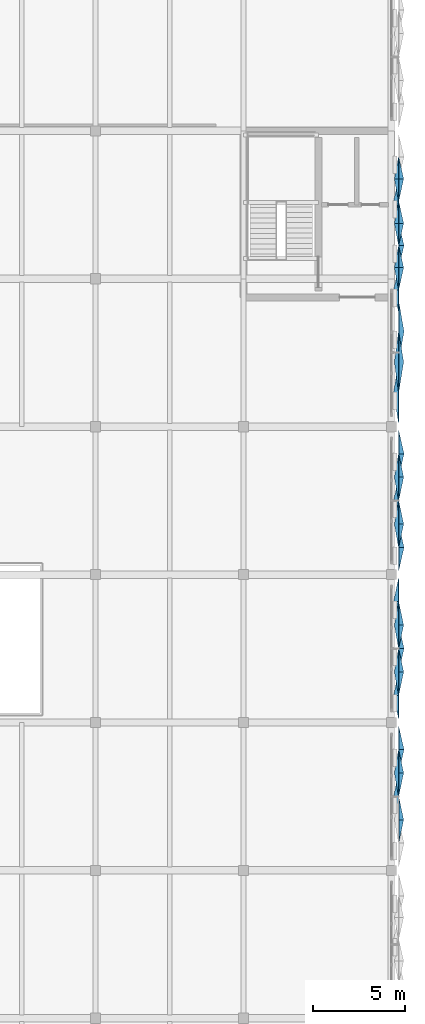
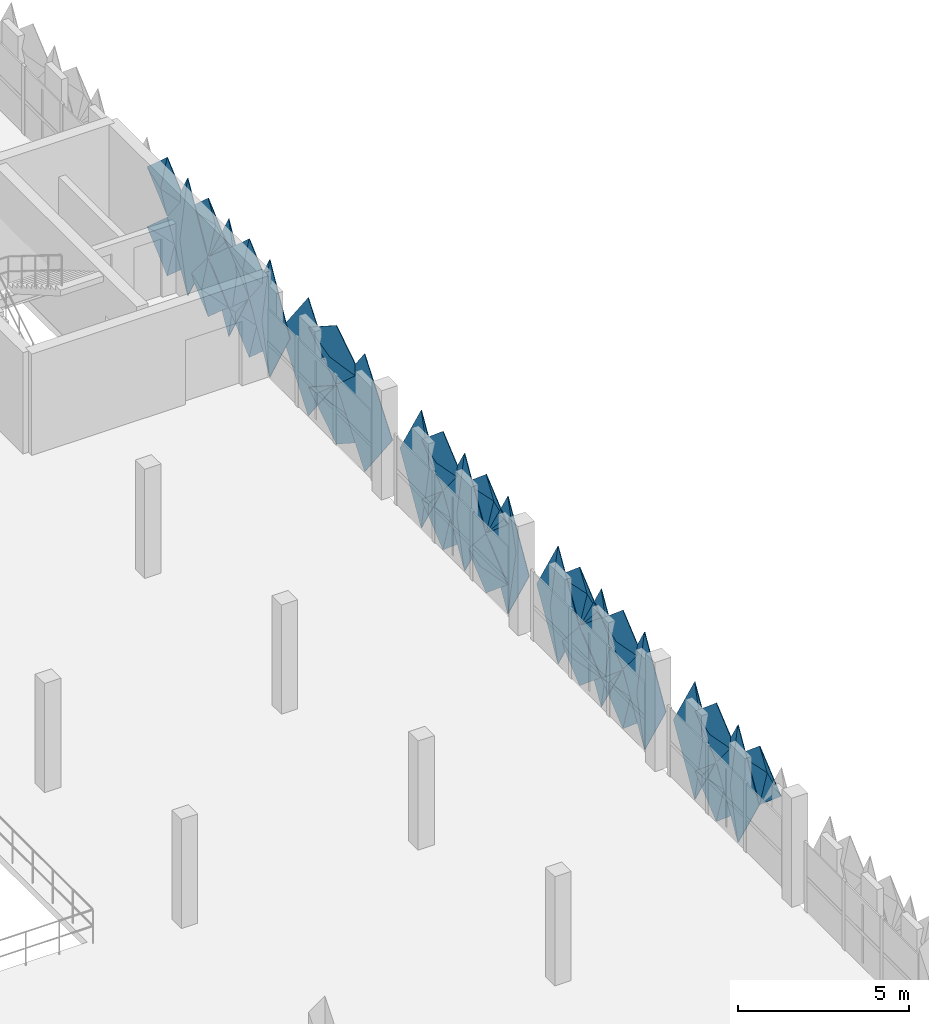
# One storey, part 72 of 96: 32 plates.
"""IFC4 building model written with IfcOpenShell, lengths in metres."""

from ifc_helpers import new_model, si_unit, derived_unit, direction, frame, origin, place, context, subcontext, project, spatial, polygons, material, layer, layer_set, type_object, element, save


model = new_model("IFC4")

# Units and contexts
model_context = context("Model", 3, precision=1e-05, world=origin(), true_north=direction((0.0, 1.0)))
body_context = subcontext(model_context, "Body", "Model", "MODEL_VIEW")
ifc_project = project(units=[si_unit("LENGTHUNIT", "METRE"), si_unit("AREAUNIT", "SQUARE_METRE"), si_unit("VOLUMEUNIT", "CUBIC_METRE"), si_unit("PLANEANGLEUNIT", "RADIAN"), si_unit("MASSUNIT", "GRAM", prefix="KILO"), si_unit("THERMODYNAMICTEMPERATUREUNIT", "KELVIN"), derived_unit("THERMALTRANSMITTANCEUNIT", [(si_unit("POWERUNIT", "WATT"), 1), (si_unit("AREAUNIT", "SQUARE_METRE"), -1), (si_unit("THERMODYNAMICTEMPERATUREUNIT", "KELVIN"), -1)])], contexts=[model_context])

# Site, building, storey
site_placement = place(None, origin())
site = spatial("IfcSite", under=ifc_project, at=site_placement, CompositionType="ELEMENT")
building_placement = place(site_placement, origin())
building = spatial("IfcBuilding", under=site, at=building_placement, Name="Haiyu Intermodal Mobility Hub", CompositionType="ELEMENT")
storey_placement = place(building_placement, frame((0.0, 0.0, 9.5)))
storey = spatial("IfcBuildingStorey", under=building, at=storey_placement, Name="L02", CompositionType="ELEMENT", Elevation=9.5)

# Plates
ifc_material = material(Name="Anodised aluminium 6063-T6", Category="aluminium")
ifc_layer_1 = layer(ifc_material, 0.01806640625)
ifc_layer_set_1 = layer_set([ifc_layer_1], Name="Anodised aluminium 6063-T6")
plate_type_1 = type_object("IfcPlateType", Name="PLT-FC01", PredefinedType="USERDEFINED", material=ifc_layer_set_1)
plate_1_placement = place(storey_placement, origin())
element("IfcPlate", 1, at=plate_1_placement, inside=storey, type_object=plate_type_1, Name="PLT-PYR-1669", ObjectType="FACADE CASSETTE", PredefinedType="USERDEFINED", context=body_context, shape_type="Tessellation", body=[
    polygons([(210.39990234375, 38.532958984375, -0.510009765625), (210.39990234375, 39.780029296875, 1.60009765625), (210.39990234375, 38.532958984375, 3.7099609375), (210.39990234375, 37.287109375, 1.60009765625), (210.679931640625, 38.532958984375, 1.60009765625), (210.3779296875, 38.532958984375, -0.510009765625), (210.3779296875, 39.780029296875, 1.60009765625), (210.3779296875, 38.532958984375, 3.7099609375), (210.3779296875, 37.287109375, 1.60009765625), (210.657958984375, 38.532958984375, 1.60009765625)], [[[1, 2, 5]], [[2, 3, 5]], [[3, 4, 5]], [[4, 1, 5]], [[7, 6, 10]], [[8, 7, 10]], [[9, 8, 10]], [[6, 9, 10]], [[1, 6, 7, 2]], [[2, 7, 8, 3]], [[3, 8, 9, 4]], [[4, 9, 6, 1]]], closed=True),
])
plate_2_placement = place(storey_placement, origin())
element("IfcPlate", 2, at=plate_2_placement, inside=storey, type_object=plate_type_1, Name="PLT-PYR-1683", ObjectType="FACADE CASSETTE", PredefinedType="USERDEFINED", context=body_context, shape_type="Tessellation", body=[
    polygons([(210.39990234375, 54.532958984375, -0.510009765625), (210.39990234375, 55.780029296875, 1.60009765625), (210.39990234375, 54.532958984375, 3.7099609375), (210.39990234375, 53.287109375, 1.60009765625), (210.679931640625, 54.532958984375, 1.60009765625), (210.3779296875, 54.532958984375, -0.510009765625), (210.3779296875, 55.780029296875, 1.60009765625), (210.3779296875, 54.532958984375, 3.7099609375), (210.3779296875, 53.287109375, 1.60009765625), (210.657958984375, 54.532958984375, 1.60009765625)], [[[1, 2, 5]], [[2, 3, 5]], [[3, 4, 5]], [[4, 1, 5]], [[7, 6, 10]], [[8, 7, 10]], [[9, 8, 10]], [[6, 9, 10]], [[1, 6, 7, 2]], [[2, 7, 8, 3]], [[3, 8, 9, 4]], [[4, 9, 6, 1]]], closed=True),
])
ifc_layer_2 = layer(ifc_material, 0.02001953125)
ifc_layer_set_2 = layer_set([ifc_layer_2], Name="Anodised aluminium 6063-T6")
plate_type_2 = type_object("IfcPlateType", Name="PLT-FC02", PredefinedType="USERDEFINED", material=ifc_layer_set_2)
plate_3_placement = place(storey_placement, origin())
element("IfcPlate", 3, at=plate_3_placement, inside=storey, type_object=plate_type_2, Name="PLT-PYR-1374", ObjectType="FACADE CASSETTE", PredefinedType="USERDEFINED", context=body_context, shape_type="Tessellation", body=[
    polygons([(210.39990234375, 68.199951171875, -0.510009765625), (210.39990234375, 69.3798828125, 1.60009765625), (210.39990234375, 68.199951171875, 3.7099609375), (210.39990234375, 67.02001953125, 1.60009765625), (210.139892578125, 68.199951171875, 1.60009765625), (210.3779296875, 68.199951171875, -0.510009765625), (210.3779296875, 69.3798828125, 1.60009765625), (210.3779296875, 68.199951171875, 3.7099609375), (210.3779296875, 67.02001953125, 1.60009765625), (210.117919921875, 68.199951171875, 1.60009765625)], [[[1, 2, 5]], [[2, 3, 5]], [[3, 4, 5]], [[4, 1, 5]], [[7, 6, 10]], [[8, 7, 10]], [[9, 8, 10]], [[6, 9, 10]], [[1, 6, 7, 2]], [[2, 7, 8, 3]], [[3, 8, 9, 4]], [[4, 9, 6, 1]]], closed=True),
])
plate_4_placement = place(storey_placement, origin())
element("IfcPlate", 4, at=plate_4_placement, inside=storey, type_object=plate_type_2, Name="PLT-PYR-1676", ObjectType="FACADE CASSETTE", PredefinedType="USERDEFINED", context=body_context, shape_type="Tessellation", body=[
    polygons([(210.39990234375, 46.532958984375, -0.510009765625), (210.39990234375, 47.780029296875, 1.60009765625), (210.39990234375, 46.532958984375, 3.7099609375), (210.39990234375, 45.287109375, 1.60009765625), (210.139892578125, 46.532958984375, 1.60009765625), (210.3779296875, 46.532958984375, -0.510009765625), (210.3779296875, 47.780029296875, 1.60009765625), (210.3779296875, 46.532958984375, 3.7099609375), (210.3779296875, 45.287109375, 1.60009765625), (210.117919921875, 46.532958984375, 1.60009765625)], [[[1, 2, 5]], [[2, 3, 5]], [[3, 4, 5]], [[4, 1, 5]], [[7, 6, 10]], [[8, 7, 10]], [[9, 8, 10]], [[6, 9, 10]], [[1, 6, 7, 2]], [[2, 7, 8, 3]], [[3, 8, 9, 4]], [[4, 9, 6, 1]]], closed=True),
])
ifc_layer_3 = layer(ifc_material, 0.01806640625)
ifc_layer_set_3 = layer_set([ifc_layer_3], Name="Anodised aluminium 6063-T6")
plate_type_3 = type_object("IfcPlateType", Name="PLT-FC05", PredefinedType="USERDEFINED", material=ifc_layer_set_3)
plate_5_placement = place(storey_placement, origin())
element("IfcPlate", 5, at=plate_5_placement, inside=storey, type_object=plate_type_3, Name="PLT-PYR-1369", ObjectType="FACADE CASSETTE", PredefinedType="USERDEFINED", context=body_context, shape_type="Tessellation", body=[
    polygons([(210.39990234375, 64.60009765625, -0.52001953125), (210.39990234375, 65.780029296875, 0.530029296875), (210.39990234375, 64.60009765625, 1.580078125), (210.39990234375, 63.419921875, 0.530029296875), (210.659912109375, 64.60009765625, 0.530029296875), (210.3779296875, 64.60009765625, -0.52001953125), (210.3779296875, 65.780029296875, 0.530029296875), (210.3779296875, 64.60009765625, 1.580078125), (210.3779296875, 63.419921875, 0.530029296875), (210.637939453125, 64.60009765625, 0.530029296875)], [[[1, 2, 5]], [[2, 3, 5]], [[3, 4, 5]], [[4, 1, 5]], [[7, 6, 10]], [[8, 7, 10]], [[9, 8, 10]], [[6, 9, 10]], [[1, 6, 7, 2]], [[2, 7, 8, 3]], [[3, 8, 9, 4]], [[4, 9, 6, 1]]], closed=True),
])
plate_6_placement = place(storey_placement, origin())
element("IfcPlate", 6, at=plate_6_placement, inside=storey, type_object=plate_type_3, Name="PLT-PYR-1375", ObjectType="FACADE CASSETTE", PredefinedType="USERDEFINED", context=body_context, shape_type="Tessellation", body=[
    polygons([(210.39990234375, 69.39990234375, -0.52001953125), (210.39990234375, 70.580078125, 0.530029296875), (210.39990234375, 69.39990234375, 1.580078125), (210.39990234375, 68.219970703125, 0.530029296875), (210.659912109375, 69.39990234375, 0.530029296875), (210.3779296875, 69.39990234375, -0.52001953125), (210.3779296875, 70.580078125, 0.530029296875), (210.3779296875, 69.39990234375, 1.580078125), (210.3779296875, 68.219970703125, 0.530029296875), (210.637939453125, 69.39990234375, 0.530029296875)], [[[1, 2, 5]], [[2, 3, 5]], [[3, 4, 5]], [[4, 1, 5]], [[7, 6, 10]], [[8, 7, 10]], [[9, 8, 10]], [[6, 9, 10]], [[1, 6, 7, 2]], [[2, 7, 8, 3]], [[3, 8, 9, 4]], [[4, 9, 6, 1]]], closed=True),
])
plate_7_placement = place(storey_placement, origin())
element("IfcPlate", 7, at=plate_7_placement, inside=storey, type_object=plate_type_3, Name="PLT-PYR-1667", ObjectType="FACADE CASSETTE", PredefinedType="USERDEFINED", context=body_context, shape_type="Tessellation", body=[
    polygons([(210.39990234375, 37.26708984375, -0.52001953125), (210.39990234375, 38.512939453125, 0.530029296875), (210.39990234375, 37.26708984375, 1.580078125), (210.39990234375, 36.02001953125, 0.530029296875), (210.659912109375, 37.26708984375, 0.530029296875), (210.3779296875, 37.26708984375, -0.52001953125), (210.3779296875, 38.512939453125, 0.530029296875), (210.3779296875, 37.26708984375, 1.580078125), (210.3779296875, 36.02001953125, 0.530029296875), (210.637939453125, 37.26708984375, 0.530029296875)], [[[1, 2, 5]], [[2, 3, 5]], [[3, 4, 5]], [[4, 1, 5]], [[7, 6, 10]], [[8, 7, 10]], [[9, 8, 10]], [[6, 9, 10]], [[1, 6, 7, 2]], [[2, 7, 8, 3]], [[3, 8, 9, 4]], [[4, 9, 6, 1]]], closed=True),
])
plate_8_placement = place(storey_placement, origin())
element("IfcPlate", 8, at=plate_8_placement, inside=storey, type_object=plate_type_3, Name="PLT-PYR-1671", ObjectType="FACADE CASSETTE", PredefinedType="USERDEFINED", context=body_context, shape_type="Tessellation", body=[
    polygons([(210.39990234375, 42.73291015625, -0.52001953125), (210.39990234375, 43.97998046875, 0.530029296875), (210.39990234375, 42.73291015625, 1.580078125), (210.39990234375, 41.487060546875, 0.530029296875), (210.659912109375, 42.73291015625, 0.530029296875), (210.3779296875, 42.73291015625, -0.52001953125), (210.3779296875, 43.97998046875, 0.530029296875), (210.3779296875, 42.73291015625, 1.580078125), (210.3779296875, 41.487060546875, 0.530029296875), (210.637939453125, 42.73291015625, 0.530029296875)], [[[1, 2, 5]], [[2, 3, 5]], [[3, 4, 5]], [[4, 1, 5]], [[7, 6, 10]], [[8, 7, 10]], [[9, 8, 10]], [[6, 9, 10]], [[1, 6, 7, 2]], [[2, 7, 8, 3]], [[3, 8, 9, 4]], [[4, 9, 6, 1]]], closed=True),
])
plate_9_placement = place(storey_placement, origin())
element("IfcPlate", 9, at=plate_9_placement, inside=storey, type_object=plate_type_3, Name="PLT-PYR-1677", ObjectType="FACADE CASSETTE", PredefinedType="USERDEFINED", context=body_context, shape_type="Tessellation", body=[
    polygons([(210.39990234375, 49.467041015625, -0.510009765625), (210.39990234375, 50.712890625, 1.60009765625), (210.39990234375, 49.467041015625, 3.7099609375), (210.39990234375, 48.219970703125, 1.60009765625), (210.679931640625, 49.467041015625, 1.60009765625), (210.3779296875, 49.467041015625, -0.510009765625), (210.3779296875, 50.712890625, 1.60009765625), (210.3779296875, 49.467041015625, 3.7099609375), (210.3779296875, 48.219970703125, 1.60009765625), (210.657958984375, 49.467041015625, 1.60009765625)], [[[1, 2, 5]], [[2, 3, 5]], [[3, 4, 5]], [[4, 1, 5]], [[7, 6, 10]], [[8, 7, 10]], [[9, 8, 10]], [[6, 9, 10]], [[1, 6, 7, 2]], [[2, 7, 8, 3]], [[3, 8, 9, 4]], [[4, 9, 6, 1]]], closed=True),
])
plate_10_placement = place(storey_placement, origin())
element("IfcPlate", 10, at=plate_10_placement, inside=storey, type_object=plate_type_3, Name="PLT-PYR-1681", ObjectType="FACADE CASSETTE", PredefinedType="USERDEFINED", context=body_context, shape_type="Tessellation", body=[
    polygons([(210.39990234375, 53.26708984375, -0.52001953125), (210.39990234375, 54.512939453125, 0.530029296875), (210.39990234375, 53.26708984375, 1.580078125), (210.39990234375, 52.02001953125, 0.530029296875), (210.659912109375, 53.26708984375, 0.530029296875), (210.3779296875, 53.26708984375, -0.52001953125), (210.3779296875, 54.512939453125, 0.530029296875), (210.3779296875, 53.26708984375, 1.580078125), (210.3779296875, 52.02001953125, 0.530029296875), (210.637939453125, 53.26708984375, 0.530029296875)], [[[1, 2, 5]], [[2, 3, 5]], [[3, 4, 5]], [[4, 1, 5]], [[7, 6, 10]], [[8, 7, 10]], [[9, 8, 10]], [[6, 9, 10]], [[1, 6, 7, 2]], [[2, 7, 8, 3]], [[3, 8, 9, 4]], [[4, 9, 6, 1]]], closed=True),
])
plate_11_placement = place(storey_placement, origin())
element("IfcPlate", 11, at=plate_11_placement, inside=storey, type_object=plate_type_3, Name="PLT-PYR-1685", ObjectType="FACADE CASSETTE", PredefinedType="USERDEFINED", context=body_context, shape_type="Tessellation", body=[
    polygons([(210.39990234375, 59.5, -0.52001953125), (210.39990234375, 61.1298828125, 0.530029296875), (210.39990234375, 59.5, 1.580078125), (210.39990234375, 57.8701171875, 0.530029296875), (210.659912109375, 59.5, 0.530029296875), (210.3779296875, 59.5, -0.52001953125), (210.3779296875, 61.1298828125, 0.530029296875), (210.3779296875, 59.5, 1.580078125), (210.3779296875, 57.8701171875, 0.530029296875), (210.637939453125, 59.5, 0.530029296875)], [[[1, 2, 5]], [[2, 3, 5]], [[3, 4, 5]], [[4, 1, 5]], [[7, 6, 10]], [[8, 7, 10]], [[9, 8, 10]], [[6, 9, 10]], [[1, 6, 7, 2]], [[2, 7, 8, 3]], [[3, 8, 9, 4]], [[4, 9, 6, 1]]], closed=True),
])
ifc_layer_4 = layer(ifc_material, 0.02001953125)
ifc_layer_set_4 = layer_set([ifc_layer_4], Name="Anodised aluminium 6063-T6")
plate_type_4 = type_object("IfcPlateType", Name="PLT-FC06", PredefinedType="USERDEFINED", material=ifc_layer_set_4)
plate_12_placement = place(storey_placement, origin())
element("IfcPlate", 12, at=plate_12_placement, inside=storey, type_object=plate_type_4, Name="PLT-PYR-1368", ObjectType="FACADE CASSETTE", PredefinedType="USERDEFINED", context=body_context, shape_type="Tessellation", body=[
    polygons([(210.39990234375, 63.39990234375, -0.510009765625), (210.39990234375, 64.580078125, 1.60009765625), (210.39990234375, 63.39990234375, 3.7099609375), (210.39990234375, 62.219970703125, 1.60009765625), (210.139892578125, 63.39990234375, 1.60009765625), (210.3779296875, 63.39990234375, -0.510009765625), (210.3779296875, 64.580078125, 1.60009765625), (210.3779296875, 63.39990234375, 3.7099609375), (210.3779296875, 62.219970703125, 1.60009765625), (210.117919921875, 63.39990234375, 1.60009765625)], [[[1, 2, 5]], [[2, 3, 5]], [[3, 4, 5]], [[4, 1, 5]], [[7, 6, 10]], [[8, 7, 10]], [[9, 8, 10]], [[6, 9, 10]], [[1, 6, 7, 2]], [[2, 7, 8, 3]], [[3, 8, 9, 4]], [[4, 9, 6, 1]]], closed=True),
])
plate_13_placement = place(storey_placement, origin())
element("IfcPlate", 13, at=plate_13_placement, inside=storey, type_object=plate_type_4, Name="PLT-PYR-1372", ObjectType="FACADE CASSETTE", PredefinedType="USERDEFINED", context=body_context, shape_type="Tessellation", body=[
    polygons([(210.39990234375, 67.0, -0.52001953125), (210.39990234375, 68.179931640625, 0.530029296875), (210.39990234375, 67.0, 1.580078125), (210.39990234375, 65.820068359375, 0.530029296875), (210.179931640625, 67.0, 0.530029296875), (210.3779296875, 67.0, -0.52001953125), (210.3779296875, 68.179931640625, 0.530029296875), (210.3779296875, 67.0, 1.580078125), (210.3779296875, 65.820068359375, 0.530029296875), (210.157958984375, 67.0, 0.530029296875)], [[[1, 2, 5]], [[2, 3, 5]], [[3, 4, 5]], [[4, 1, 5]], [[7, 6, 10]], [[8, 7, 10]], [[9, 8, 10]], [[6, 9, 10]], [[1, 6, 7, 2]], [[2, 7, 8, 3]], [[3, 8, 9, 4]], [[4, 9, 6, 1]]], closed=True),
])
plate_14_placement = place(storey_placement, origin())
element("IfcPlate", 14, at=plate_14_placement, inside=storey, type_object=plate_type_4, Name="PLT-PYR-1670", ObjectType="FACADE CASSETTE", PredefinedType="USERDEFINED", context=body_context, shape_type="Tessellation", body=[
    polygons([(210.39990234375, 41.467041015625, -0.510009765625), (210.39990234375, 42.712890625, 1.60009765625), (210.39990234375, 41.467041015625, 3.7099609375), (210.39990234375, 40.219970703125, 1.60009765625), (210.139892578125, 41.467041015625, 1.60009765625), (210.3779296875, 41.467041015625, -0.510009765625), (210.3779296875, 42.712890625, 1.60009765625), (210.3779296875, 41.467041015625, 3.7099609375), (210.3779296875, 40.219970703125, 1.60009765625), (210.117919921875, 41.467041015625, 1.60009765625)], [[[1, 2, 5]], [[2, 3, 5]], [[3, 4, 5]], [[4, 1, 5]], [[7, 6, 10]], [[8, 7, 10]], [[9, 8, 10]], [[6, 9, 10]], [[1, 6, 7, 2]], [[2, 7, 8, 3]], [[3, 8, 9, 4]], [[4, 9, 6, 1]]], closed=True),
])
plate_15_placement = place(storey_placement, origin())
element("IfcPlate", 15, at=plate_15_placement, inside=storey, type_object=plate_type_4, Name="PLT-PYR-1674", ObjectType="FACADE CASSETTE", PredefinedType="USERDEFINED", context=body_context, shape_type="Tessellation", body=[
    polygons([(210.39990234375, 45.26708984375, -0.52001953125), (210.39990234375, 46.512939453125, 0.530029296875), (210.39990234375, 45.26708984375, 1.580078125), (210.39990234375, 44.02001953125, 0.530029296875), (210.179931640625, 45.26708984375, 0.530029296875), (210.3779296875, 45.26708984375, -0.52001953125), (210.3779296875, 46.512939453125, 0.530029296875), (210.3779296875, 45.26708984375, 1.580078125), (210.3779296875, 44.02001953125, 0.530029296875), (210.157958984375, 45.26708984375, 0.530029296875)], [[[1, 2, 5]], [[2, 3, 5]], [[3, 4, 5]], [[4, 1, 5]], [[7, 6, 10]], [[8, 7, 10]], [[9, 8, 10]], [[6, 9, 10]], [[1, 6, 7, 2]], [[2, 7, 8, 3]], [[3, 8, 9, 4]], [[4, 9, 6, 1]]], closed=True),
])
plate_16_placement = place(storey_placement, origin())
element("IfcPlate", 16, at=plate_16_placement, inside=storey, type_object=plate_type_4, Name="PLT-PYR-1678", ObjectType="FACADE CASSETTE", PredefinedType="USERDEFINED", context=body_context, shape_type="Tessellation", body=[
    polygons([(210.39990234375, 50.73291015625, -0.52001953125), (210.39990234375, 51.97998046875, 0.530029296875), (210.39990234375, 50.73291015625, 1.580078125), (210.39990234375, 49.487060546875, 0.530029296875), (210.179931640625, 50.73291015625, 0.530029296875), (210.3779296875, 50.73291015625, -0.52001953125), (210.3779296875, 51.97998046875, 0.530029296875), (210.3779296875, 50.73291015625, 1.580078125), (210.3779296875, 49.487060546875, 0.530029296875), (210.157958984375, 50.73291015625, 0.530029296875)], [[[1, 2, 5]], [[2, 3, 5]], [[3, 4, 5]], [[4, 1, 5]], [[7, 6, 10]], [[8, 7, 10]], [[9, 8, 10]], [[6, 9, 10]], [[1, 6, 7, 2]], [[2, 7, 8, 3]], [[3, 8, 9, 4]], [[4, 9, 6, 1]]], closed=True),
])
plate_17_placement = place(storey_placement, origin())
element("IfcPlate", 17, at=plate_17_placement, inside=storey, type_object=plate_type_4, Name="PLT-PYR-1684", ObjectType="FACADE CASSETTE", PredefinedType="USERDEFINED", context=body_context, shape_type="Tessellation", body=[
    polygons([(210.39990234375, 57.85009765625, -0.510009765625), (210.39990234375, 59.47998046875, 1.60009765625), (210.39990234375, 57.85009765625, 3.7099609375), (210.39990234375, 56.219970703125, 1.60009765625), (210.139892578125, 57.85009765625, 1.60009765625), (210.3779296875, 57.85009765625, -0.510009765625), (210.3779296875, 59.47998046875, 1.60009765625), (210.3779296875, 57.85009765625, 3.7099609375), (210.3779296875, 56.219970703125, 1.60009765625), (210.117919921875, 57.85009765625, 1.60009765625)], [[[1, 2, 5]], [[2, 3, 5]], [[3, 4, 5]], [[4, 1, 5]], [[7, 6, 10]], [[8, 7, 10]], [[9, 8, 10]], [[6, 9, 10]], [[1, 6, 7, 2]], [[2, 7, 8, 3]], [[3, 8, 9, 4]], [[4, 9, 6, 1]]], closed=True),
])
ifc_layer_5 = layer(ifc_material, 0.02197265625)
ifc_layer_set_5 = layer_set([ifc_layer_5], Name="Anodised aluminium 6063-T6")
plate_type_5 = type_object("IfcPlateType", Name="PLT-FC07", PredefinedType="USERDEFINED", material=ifc_layer_set_5)
plate_18_placement = place(storey_placement, origin())
element("IfcPlate", 18, at=plate_18_placement, inside=storey, type_object=plate_type_5, Name="PLT-PYR-1371", ObjectType="FACADE CASSETTE", PredefinedType="USERDEFINED", context=body_context, shape_type="Tessellation", body=[
    polygons([(210.39990234375, 65.800048828125, -0.510009765625), (210.39990234375, 66.97998046875, 1.60009765625), (210.39990234375, 65.800048828125, 3.7099609375), (210.39990234375, 64.6201171875, 1.60009765625), (210.679931640625, 65.800048828125, 1.60009765625), (210.3779296875, 65.800048828125, -0.510009765625), (210.3779296875, 66.97998046875, 1.60009765625), (210.3779296875, 65.800048828125, 3.7099609375), (210.3779296875, 64.6201171875, 1.60009765625), (210.657958984375, 65.800048828125, 1.60009765625)], [[[1, 2, 5]], [[2, 3, 5]], [[3, 4, 5]], [[4, 1, 5]], [[7, 6, 10]], [[8, 7, 10]], [[9, 8, 10]], [[6, 9, 10]], [[1, 6, 7, 2]], [[2, 7, 8, 3]], [[3, 8, 9, 4]], [[4, 9, 6, 1]]], closed=True),
])
plate_19_placement = place(storey_placement, origin())
element("IfcPlate", 19, at=plate_19_placement, inside=storey, type_object=plate_type_5, Name="PLT-PYR-1373", ObjectType="FACADE CASSETTE", PredefinedType="USERDEFINED", context=body_context, shape_type="Tessellation", body=[
    polygons([(210.39990234375, 67.0, 1.6201171875), (210.39990234375, 68.179931640625, 2.669921875), (210.39990234375, 67.0, 3.719970703125), (210.39990234375, 65.820068359375, 2.669921875), (210.659912109375, 67.0, 2.669921875), (210.3779296875, 67.0, 1.6201171875), (210.3779296875, 68.179931640625, 2.669921875), (210.3779296875, 67.0, 3.719970703125), (210.3779296875, 65.820068359375, 2.669921875), (210.637939453125, 67.0, 2.669921875)], [[[1, 2, 5]], [[2, 3, 5]], [[3, 4, 5]], [[4, 1, 5]], [[7, 6, 10]], [[8, 7, 10]], [[9, 8, 10]], [[6, 9, 10]], [[1, 6, 7, 2]], [[2, 7, 8, 3]], [[3, 8, 9, 4]], [[4, 9, 6, 1]]], closed=True),
])
plate_20_placement = place(storey_placement, origin())
element("IfcPlate", 20, at=plate_20_placement, inside=storey, type_object=plate_type_5, Name="PLT-PYR-1665", ObjectType="FACADE CASSETTE", PredefinedType="USERDEFINED", context=body_context, shape_type="Tessellation", body=[
    polygons([(210.39990234375, 34.73291015625, 1.6201171875), (210.39990234375, 35.97998046875, 2.669921875), (210.39990234375, 34.73291015625, 3.719970703125), (210.39990234375, 33.487060546875, 2.669921875), (210.659912109375, 34.73291015625, 2.669921875), (210.3779296875, 34.73291015625, 1.6201171875), (210.3779296875, 35.97998046875, 2.669921875), (210.3779296875, 34.73291015625, 3.719970703125), (210.3779296875, 33.487060546875, 2.669921875), (210.637939453125, 34.73291015625, 2.669921875)], [[[1, 2, 5]], [[2, 3, 5]], [[3, 4, 5]], [[4, 1, 5]], [[7, 6, 10]], [[8, 7, 10]], [[9, 8, 10]], [[6, 9, 10]], [[1, 6, 7, 2]], [[2, 7, 8, 3]], [[3, 8, 9, 4]], [[4, 9, 6, 1]]], closed=True),
])
plate_21_placement = place(storey_placement, origin())
element("IfcPlate", 21, at=plate_21_placement, inside=storey, type_object=plate_type_5, Name="PLT-PYR-1673", ObjectType="FACADE CASSETTE", PredefinedType="USERDEFINED", context=body_context, shape_type="Tessellation", body=[
    polygons([(210.39990234375, 44.0, -0.510009765625), (210.39990234375, 45.2470703125, 1.60009765625), (210.39990234375, 44.0, 3.7099609375), (210.39990234375, 42.7529296875, 1.60009765625), (210.679931640625, 44.0, 1.60009765625), (210.3779296875, 44.0, -0.510009765625), (210.3779296875, 45.2470703125, 1.60009765625), (210.3779296875, 44.0, 3.7099609375), (210.3779296875, 42.7529296875, 1.60009765625), (210.657958984375, 44.0, 1.60009765625)], [[[1, 2, 5]], [[2, 3, 5]], [[3, 4, 5]], [[4, 1, 5]], [[7, 6, 10]], [[8, 7, 10]], [[9, 8, 10]], [[6, 9, 10]], [[1, 6, 7, 2]], [[2, 7, 8, 3]], [[3, 8, 9, 4]], [[4, 9, 6, 1]]], closed=True),
])
plate_22_placement = place(storey_placement, origin())
element("IfcPlate", 22, at=plate_22_placement, inside=storey, type_object=plate_type_5, Name="PLT-PYR-1675", ObjectType="FACADE CASSETTE", PredefinedType="USERDEFINED", context=body_context, shape_type="Tessellation", body=[
    polygons([(210.39990234375, 45.26708984375, 1.6201171875), (210.39990234375, 46.512939453125, 2.669921875), (210.39990234375, 45.26708984375, 3.719970703125), (210.39990234375, 44.02001953125, 2.669921875), (210.659912109375, 45.26708984375, 2.669921875), (210.3779296875, 45.26708984375, 1.6201171875), (210.3779296875, 46.512939453125, 2.669921875), (210.3779296875, 45.26708984375, 3.719970703125), (210.3779296875, 44.02001953125, 2.669921875), (210.637939453125, 45.26708984375, 2.669921875)], [[[1, 2, 5]], [[2, 3, 5]], [[3, 4, 5]], [[4, 1, 5]], [[7, 6, 10]], [[8, 7, 10]], [[9, 8, 10]], [[6, 9, 10]], [[1, 6, 7, 2]], [[2, 7, 8, 3]], [[3, 8, 9, 4]], [[4, 9, 6, 1]]], closed=True),
])
plate_23_placement = place(storey_placement, origin())
element("IfcPlate", 23, at=plate_23_placement, inside=storey, type_object=plate_type_5, Name="PLT-PYR-1679", ObjectType="FACADE CASSETTE", PredefinedType="USERDEFINED", context=body_context, shape_type="Tessellation", body=[
    polygons([(210.39990234375, 50.73291015625, 1.6201171875), (210.39990234375, 51.97998046875, 2.669921875), (210.39990234375, 50.73291015625, 3.719970703125), (210.39990234375, 49.487060546875, 2.669921875), (210.659912109375, 50.73291015625, 2.669921875), (210.3779296875, 50.73291015625, 1.6201171875), (210.3779296875, 51.97998046875, 2.669921875), (210.3779296875, 50.73291015625, 3.719970703125), (210.3779296875, 49.487060546875, 2.669921875), (210.637939453125, 50.73291015625, 2.669921875)], [[[1, 2, 5]], [[2, 3, 5]], [[3, 4, 5]], [[4, 1, 5]], [[7, 6, 10]], [[8, 7, 10]], [[9, 8, 10]], [[6, 9, 10]], [[1, 6, 7, 2]], [[2, 7, 8, 3]], [[3, 8, 9, 4]], [[4, 9, 6, 1]]], closed=True),
])
plate_24_placement = place(storey_placement, origin())
element("IfcPlate", 24, at=plate_24_placement, inside=storey, type_object=plate_type_5, Name="PLT-PYR-1687", ObjectType="FACADE CASSETTE", PredefinedType="USERDEFINED", context=body_context, shape_type="Tessellation", body=[
    polygons([(210.39990234375, 61.14990234375, -0.510009765625), (210.39990234375, 62.780029296875, 1.60009765625), (210.39990234375, 61.14990234375, 3.7099609375), (210.39990234375, 59.52001953125, 1.60009765625), (210.679931640625, 61.14990234375, 1.60009765625), (210.3779296875, 61.14990234375, -0.510009765625), (210.3779296875, 62.780029296875, 1.60009765625), (210.3779296875, 61.14990234375, 3.7099609375), (210.3779296875, 59.52001953125, 1.60009765625), (210.657958984375, 61.14990234375, 1.60009765625)], [[[1, 2, 5]], [[2, 3, 5]], [[3, 4, 5]], [[4, 1, 5]], [[7, 6, 10]], [[8, 7, 10]], [[9, 8, 10]], [[6, 9, 10]], [[1, 6, 7, 2]], [[2, 7, 8, 3]], [[3, 8, 9, 4]], [[4, 9, 6, 1]]], closed=True),
])
ifc_layer_6 = layer(ifc_material, 0.02392578125)
ifc_layer_set_6 = layer_set([ifc_layer_6], Name="Anodised aluminium 6063-T6")
plate_type_6 = type_object("IfcPlateType", Name="PLT-FC08", PredefinedType="USERDEFINED", material=ifc_layer_set_6)
plate_25_placement = place(storey_placement, origin())
element("IfcPlate", 25, at=plate_25_placement, inside=storey, type_object=plate_type_6, Name="PLT-PYR-1370", ObjectType="FACADE CASSETTE", PredefinedType="USERDEFINED", context=body_context, shape_type="Tessellation", body=[
    polygons([(210.39990234375, 64.60009765625, 1.6201171875), (210.39990234375, 65.780029296875, 2.669921875), (210.39990234375, 64.60009765625, 3.719970703125), (210.39990234375, 63.419921875, 2.669921875), (210.179931640625, 64.60009765625, 2.669921875), (210.3779296875, 64.60009765625, 1.6201171875), (210.3779296875, 65.780029296875, 2.669921875), (210.3779296875, 64.60009765625, 3.719970703125), (210.3779296875, 63.419921875, 2.669921875), (210.157958984375, 64.60009765625, 2.669921875)], [[[1, 2, 5]], [[2, 3, 5]], [[3, 4, 5]], [[4, 1, 5]], [[7, 6, 10]], [[8, 7, 10]], [[9, 8, 10]], [[6, 9, 10]], [[1, 6, 7, 2]], [[2, 7, 8, 3]], [[3, 8, 9, 4]], [[4, 9, 6, 1]]], closed=True),
])
plate_26_placement = place(storey_placement, origin())
element("IfcPlate", 26, at=plate_26_placement, inside=storey, type_object=plate_type_6, Name="PLT-PYR-1376", ObjectType="FACADE CASSETTE", PredefinedType="USERDEFINED", context=body_context, shape_type="Tessellation", body=[
    polygons([(210.39990234375, 69.39990234375, 1.6201171875), (210.39990234375, 70.580078125, 2.669921875), (210.39990234375, 69.39990234375, 3.719970703125), (210.39990234375, 68.219970703125, 2.669921875), (210.179931640625, 69.39990234375, 2.669921875), (210.3779296875, 69.39990234375, 1.6201171875), (210.3779296875, 70.580078125, 2.669921875), (210.3779296875, 69.39990234375, 3.719970703125), (210.3779296875, 68.219970703125, 2.669921875), (210.157958984375, 69.39990234375, 2.669921875)], [[[1, 2, 5]], [[2, 3, 5]], [[3, 4, 5]], [[4, 1, 5]], [[7, 6, 10]], [[8, 7, 10]], [[9, 8, 10]], [[6, 9, 10]], [[1, 6, 7, 2]], [[2, 7, 8, 3]], [[3, 8, 9, 4]], [[4, 9, 6, 1]]], closed=True),
])
plate_27_placement = place(storey_placement, origin())
element("IfcPlate", 27, at=plate_27_placement, inside=storey, type_object=plate_type_6, Name="PLT-PYR-1666", ObjectType="FACADE CASSETTE", PredefinedType="USERDEFINED", context=body_context, shape_type="Tessellation", body=[
    polygons([(210.39990234375, 36.0, -0.510009765625), (210.39990234375, 37.2470703125, 1.60009765625), (210.39990234375, 36.0, 3.7099609375), (210.39990234375, 34.7529296875, 1.60009765625), (210.139892578125, 36.0, 1.60009765625), (210.3779296875, 36.0, -0.510009765625), (210.3779296875, 37.2470703125, 1.60009765625), (210.3779296875, 36.0, 3.7099609375), (210.3779296875, 34.7529296875, 1.60009765625), (210.117919921875, 36.0, 1.60009765625)], [[[1, 2, 5]], [[2, 3, 5]], [[3, 4, 5]], [[4, 1, 5]], [[7, 6, 10]], [[8, 7, 10]], [[9, 8, 10]], [[6, 9, 10]], [[1, 6, 7, 2]], [[2, 7, 8, 3]], [[3, 8, 9, 4]], [[4, 9, 6, 1]]], closed=True),
])
plate_28_placement = place(storey_placement, origin())
element("IfcPlate", 28, at=plate_28_placement, inside=storey, type_object=plate_type_6, Name="PLT-PYR-1668", ObjectType="FACADE CASSETTE", PredefinedType="USERDEFINED", context=body_context, shape_type="Tessellation", body=[
    polygons([(210.39990234375, 37.26708984375, 1.6201171875), (210.39990234375, 38.512939453125, 2.669921875), (210.39990234375, 37.26708984375, 3.719970703125), (210.39990234375, 36.02001953125, 2.669921875), (210.179931640625, 37.26708984375, 2.669921875), (210.3779296875, 37.26708984375, 1.6201171875), (210.3779296875, 38.512939453125, 2.669921875), (210.3779296875, 37.26708984375, 3.719970703125), (210.3779296875, 36.02001953125, 2.669921875), (210.157958984375, 37.26708984375, 2.669921875)], [[[1, 2, 5]], [[2, 3, 5]], [[3, 4, 5]], [[4, 1, 5]], [[7, 6, 10]], [[8, 7, 10]], [[9, 8, 10]], [[6, 9, 10]], [[1, 6, 7, 2]], [[2, 7, 8, 3]], [[3, 8, 9, 4]], [[4, 9, 6, 1]]], closed=True),
])
plate_29_placement = place(storey_placement, origin())
element("IfcPlate", 29, at=plate_29_placement, inside=storey, type_object=plate_type_6, Name="PLT-PYR-1672", ObjectType="FACADE CASSETTE", PredefinedType="USERDEFINED", context=body_context, shape_type="Tessellation", body=[
    polygons([(210.39990234375, 42.73291015625, 1.6201171875), (210.39990234375, 43.97998046875, 2.669921875), (210.39990234375, 42.73291015625, 3.719970703125), (210.39990234375, 41.487060546875, 2.669921875), (210.179931640625, 42.73291015625, 2.669921875), (210.3779296875, 42.73291015625, 1.6201171875), (210.3779296875, 43.97998046875, 2.669921875), (210.3779296875, 42.73291015625, 3.719970703125), (210.3779296875, 41.487060546875, 2.669921875), (210.157958984375, 42.73291015625, 2.669921875)], [[[1, 2, 5]], [[2, 3, 5]], [[3, 4, 5]], [[4, 1, 5]], [[7, 6, 10]], [[8, 7, 10]], [[9, 8, 10]], [[6, 9, 10]], [[1, 6, 7, 2]], [[2, 7, 8, 3]], [[3, 8, 9, 4]], [[4, 9, 6, 1]]], closed=True),
])
plate_30_placement = place(storey_placement, origin())
element("IfcPlate", 30, at=plate_30_placement, inside=storey, type_object=plate_type_6, Name="PLT-PYR-1680", ObjectType="FACADE CASSETTE", PredefinedType="USERDEFINED", context=body_context, shape_type="Tessellation", body=[
    polygons([(210.39990234375, 52.0, -0.510009765625), (210.39990234375, 53.2470703125, 1.60009765625), (210.39990234375, 52.0, 3.7099609375), (210.39990234375, 50.7529296875, 1.60009765625), (210.139892578125, 52.0, 1.60009765625), (210.3779296875, 52.0, -0.510009765625), (210.3779296875, 53.2470703125, 1.60009765625), (210.3779296875, 52.0, 3.7099609375), (210.3779296875, 50.7529296875, 1.60009765625), (210.117919921875, 52.0, 1.60009765625)], [[[1, 2, 5]], [[2, 3, 5]], [[3, 4, 5]], [[4, 1, 5]], [[7, 6, 10]], [[8, 7, 10]], [[9, 8, 10]], [[6, 9, 10]], [[1, 6, 7, 2]], [[2, 7, 8, 3]], [[3, 8, 9, 4]], [[4, 9, 6, 1]]], closed=True),
])
plate_31_placement = place(storey_placement, origin())
element("IfcPlate", 31, at=plate_31_placement, inside=storey, type_object=plate_type_6, Name="PLT-PYR-1682", ObjectType="FACADE CASSETTE", PredefinedType="USERDEFINED", context=body_context, shape_type="Tessellation", body=[
    polygons([(210.39990234375, 53.26708984375, 1.6201171875), (210.39990234375, 54.512939453125, 2.669921875), (210.39990234375, 53.26708984375, 3.719970703125), (210.39990234375, 52.02001953125, 2.669921875), (210.179931640625, 53.26708984375, 2.669921875), (210.3779296875, 53.26708984375, 1.6201171875), (210.3779296875, 54.512939453125, 2.669921875), (210.3779296875, 53.26708984375, 3.719970703125), (210.3779296875, 52.02001953125, 2.669921875), (210.157958984375, 53.26708984375, 2.669921875)], [[[1, 2, 5]], [[2, 3, 5]], [[3, 4, 5]], [[4, 1, 5]], [[7, 6, 10]], [[8, 7, 10]], [[9, 8, 10]], [[6, 9, 10]], [[1, 6, 7, 2]], [[2, 7, 8, 3]], [[3, 8, 9, 4]], [[4, 9, 6, 1]]], closed=True),
])
plate_32_placement = place(storey_placement, origin())
element("IfcPlate", 32, at=plate_32_placement, inside=storey, type_object=plate_type_6, Name="PLT-PYR-1686", ObjectType="FACADE CASSETTE", PredefinedType="USERDEFINED", context=body_context, shape_type="Tessellation", body=[
    polygons([(210.39990234375, 59.5, 1.6201171875), (210.39990234375, 61.1298828125, 2.669921875), (210.39990234375, 59.5, 3.719970703125), (210.39990234375, 57.8701171875, 2.669921875), (210.179931640625, 59.5, 2.669921875), (210.3779296875, 59.5, 1.6201171875), (210.3779296875, 61.1298828125, 2.669921875), (210.3779296875, 59.5, 3.719970703125), (210.3779296875, 57.8701171875, 2.669921875), (210.157958984375, 59.5, 2.669921875)], [[[1, 2, 5]], [[2, 3, 5]], [[3, 4, 5]], [[4, 1, 5]], [[7, 6, 10]], [[8, 7, 10]], [[9, 8, 10]], [[6, 9, 10]], [[1, 6, 7, 2]], [[2, 7, 8, 3]], [[3, 8, 9, 4]], [[4, 9, 6, 1]]], closed=True),
])

save(model, "model.ifc")
